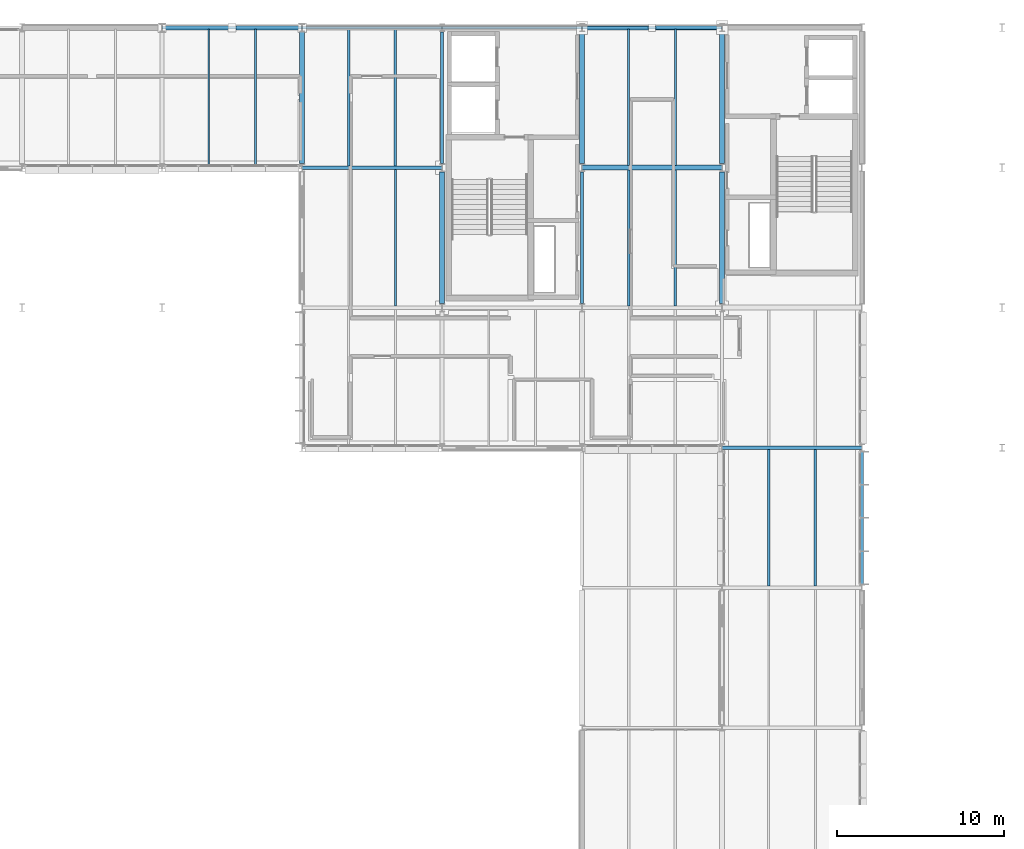
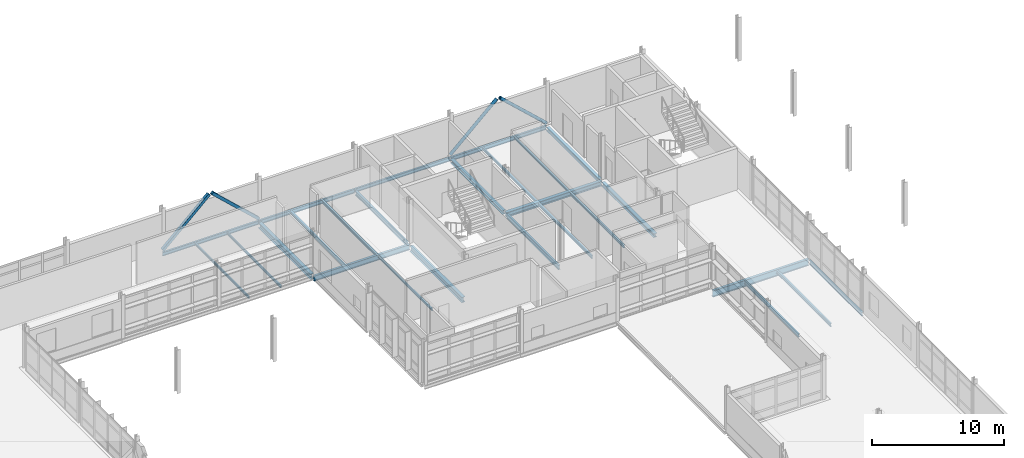
# One storey, part 71 of 103: 26 beams, 4 members.
"""IFC4 building model written with IfcOpenShell, lengths in metres."""

from ifc_helpers import new_model, si_unit, direction, frame, origin, origin_2d, place, context, subcontext, project, spatial, hollow_rectangle, hollow_circle, i_section, extrude, material, material_profile, profile_set, type_object, element, save


model = new_model("IFC4")

# Units and contexts
model_context = context("Model", 3, precision=1e-05, world=origin(), true_north=direction((0.0, 1.0)))
body_context = subcontext(model_context, "Body", "Model", "MODEL_VIEW")
ifc_project = project(units=[si_unit("LENGTHUNIT", "METRE"), si_unit("AREAUNIT", "SQUARE_METRE"), si_unit("VOLUMEUNIT", "CUBIC_METRE"), si_unit("PLANEANGLEUNIT", "RADIAN"), si_unit("MASSUNIT", "GRAM", prefix="KILO")], contexts=[model_context])

# Site, building, storey
site_placement = place(None, origin())
site = spatial("IfcSite", under=ifc_project, at=site_placement, CompositionType="ELEMENT")
building_placement = place(site_placement, origin())
building = spatial("IfcBuilding", under=site, at=building_placement, Name="Mersafa Astral City Hall", CompositionType="ELEMENT")
storey_placement = place(building_placement, frame((0.0, 0.0, 18.0)))
storey = spatial("IfcBuildingStorey", under=building, at=storey_placement, Name="L04", CompositionType="ELEMENT", Elevation=18.0)

# Beams
ifc_material = material(Name="Steel S355", Category="steel")
ifc_material_profile_1 = material_profile(ifc_material, i_section(OverallWidth=0.300048828125, OverallDepth=0.31005859375, WebThickness=0.009033203125, FlangeThickness=0.015380859375, FilletRadius=0.027099609375, at=origin_2d()), Name="HEA 320")
ifc_profile_set_1 = profile_set([ifc_material_profile_1], Name="Steel S355")
beam_type_1 = type_object("IfcBeamType", Name="STR-BM-HEA320", PredefinedType="BEAM", material=ifc_profile_set_1)
beam_1_placement = place(storey_placement, frame((168.0, 117.844970703125, -0.340087890625), z_axis=(0.0, 1.0, 0.0), x_axis=(-1.0, 0.0, 0.0)))
element("IfcBeam", 1, at=beam_1_placement, inside=storey, type_object=beam_type_1, Name="L04 Primary girder Y 20-14", PredefinedType="BEAM", context=body_context, shape_type="SweptSolid", body=[
    extrude(i_section(OverallWidth=0.300048828125, OverallDepth=0.31005859375, WebThickness=0.009033203125, FlangeThickness=0.015380859375, FilletRadius=0.027099609375, at=origin_2d()), origin(), (0.0, 0.0, 1.0), 7.909912109375),
])
ifc_material_profile_2 = material_profile(ifc_material, i_section(OverallWidth=0.300048828125, OverallDepth=0.35009765625, WebThickness=0.010009765625, FlangeThickness=0.017578125, FilletRadius=0.027099609375, at=origin_2d()), Name="HEA 360")
ifc_profile_set_2 = profile_set([ifc_material_profile_2], Name="Steel S355")
beam_type_2 = type_object("IfcBeamType", Name="STR-BM-HEA360", PredefinedType="BEAM", material=ifc_profile_set_2)
for number, where, z_axis, x_axis, name in (
    (2, (159.60009765625, 117.844970703125, -0.360107421875), (0.0, 1.0, 0.0), (-1.0, 0.0, 0.0), "L04 Primary girder Y 19-14"),
    (3, (168.0, 109.445068359375, -0.360107421875), (0.0, 1.0, 0.0), (-1.0, 0.0, 0.0), "L04 Primary girder Y 20-13"),
):
    element("IfcBeam", number, at=place(storey_placement, frame(where, z_axis=z_axis, x_axis=x_axis)), inside=storey, type_object=beam_type_2, Name=name, PredefinedType="BEAM", context=body_context, shape_type="SweptSolid", body=[
        extrude(i_section(OverallWidth=0.300048828125, OverallDepth=0.35009765625, WebThickness=0.010009765625, FlangeThickness=0.017578125, FilletRadius=0.027099609375, at=origin_2d()), origin(), (0.0, 0.0, 1.0), 7.909912109375),
    ])
ifc_material_profile_3 = material_profile(ifc_material, i_section(OverallWidth=0.300048828125, OverallDepth=0.43994140625, WebThickness=0.011474609375, FlangeThickness=0.02099609375, FilletRadius=0.027099609375, at=origin_2d()), Name="HEA 450")
ifc_profile_set_3 = profile_set([ifc_material_profile_3], Name="Steel S355")
beam_type_3 = type_object("IfcBeamType", Name="STR-BM-HEA450", PredefinedType="BEAM", material=ifc_profile_set_3)
beam_2_placement = place(storey_placement, frame((159.60302734375, 117.60009765625, -0.405029296875), z_axis=(1.0, 0.0, 0.0), x_axis=(0.0, 1.0, 0.0)))
element("IfcBeam", 4, at=beam_2_placement, inside=storey, type_object=beam_type_3, Name="L04 Primary girder X 19-14", PredefinedType="BEAM", context=body_context, shape_type="SweptSolid", body=[
    extrude(i_section(OverallWidth=0.300048828125, OverallDepth=0.43994140625, WebThickness=0.011474609375, FlangeThickness=0.02099609375, FilletRadius=0.027099609375, at=origin_2d()), origin(), (0.0, 0.0, 1.0), 8.39404296875),
])
ifc_material_profile_4 = material_profile(ifc_material, i_section(OverallWidth=0.300048828125, OverallDepth=0.489990234375, WebThickness=0.011962890625, FlangeThickness=0.02294921875, FilletRadius=0.027099609375, at=origin_2d()), Name="HEA 500")
ifc_profile_set_4 = profile_set([ifc_material_profile_4], Name="Steel S355")
beam_type_4 = type_object("IfcBeamType", Name="STR-BM-HEA500", PredefinedType="BEAM", material=ifc_profile_set_4)
for number, where, z_axis, x_axis, name in (
    (5, (142.800048828125, 117.844970703125, -0.429931640625), (0.0, 1.0, 0.0), (-1.0, 0.0, 0.0), "L04 Primary girder Y 17-14"),
    (6, (151.199951171875, 109.445068359375, -0.429931640625), (0.0, 1.0, 0.0), (-1.0, 0.0, 0.0), "L04 Primary girder Y 18-13"),
):
    element("IfcBeam", number, at=place(storey_placement, frame(where, z_axis=z_axis, x_axis=x_axis)), inside=storey, type_object=beam_type_4, Name=name, PredefinedType="BEAM", context=body_context, shape_type="SweptSolid", body=[
        extrude(i_section(OverallWidth=0.300048828125, OverallDepth=0.489990234375, WebThickness=0.011962890625, FlangeThickness=0.02294921875, FilletRadius=0.027099609375, at=origin_2d()), origin(), (0.0, 0.0, 1.0), 7.909912109375),
    ])
ifc_material_profile_5 = material_profile(ifc_material, i_section(OverallWidth=0.179931640625, OverallDepth=0.39990234375, WebThickness=0.008544921875, FlangeThickness=0.013427734375, FilletRadius=0.02099609375, at=origin_2d()), Name="IPE 400")
ifc_profile_set_5 = profile_set([ifc_material_profile_5], Name="Steel S355")
beam_type_5 = type_object("IfcBeamType", Name="STR-BM-IPE400", PredefinedType="BEAM", material=ifc_profile_set_5)
for number, where, z_axis, x_axis, name in (
    (7, (151.199951171875, 117.844970703125, -0.385009765625), (0.0, 1.0, 0.0), (-1.0, 0.0, 0.0), "L04 Primary girder Y 18-14"),
    (8, (159.60009765625, 109.445068359375, -0.385009765625), (0.0, 1.0, 0.0), (-1.0, 0.0, 0.0), "L04 Primary girder Y 19-13"),
):
    element("IfcBeam", number, at=place(storey_placement, frame(where, z_axis=z_axis, x_axis=x_axis)), inside=storey, type_object=beam_type_5, Name=name, PredefinedType="BEAM", context=body_context, shape_type="SweptSolid", body=[
        extrude(i_section(OverallWidth=0.179931640625, OverallDepth=0.39990234375, WebThickness=0.008544921875, FlangeThickness=0.013427734375, FilletRadius=0.02099609375, at=origin_2d()), origin(), (0.0, 0.0, 1.0), 7.909912109375),
    ])
ifc_material_profile_6 = material_profile(ifc_material, i_section(OverallWidth=0.199951171875, OverallDepth=0.5, WebThickness=0.01025390625, FlangeThickness=0.01611328125, FilletRadius=0.02099609375, at=origin_2d()), Name="IPE 500")
ifc_profile_set_6 = profile_set([ifc_material_profile_6], Name="Steel S355")
beam_type_6 = type_object("IfcBeamType", Name="STR-BM-IPE500", PredefinedType="BEAM", material=ifc_profile_set_6)
beam_3_placement = place(storey_placement, frame((142.802978515625, 117.60009765625, -0.43505859375), z_axis=(1.0, 0.0, 0.0), x_axis=(0.0, 1.0, 0.0)))
element("IfcBeam", 9, at=beam_3_placement, inside=storey, type_object=beam_type_6, Name="L04 Primary girder X 17-14", PredefinedType="BEAM", context=body_context, shape_type="SweptSolid", body=[
    extrude(i_section(OverallWidth=0.199951171875, OverallDepth=0.5, WebThickness=0.01025390625, FlangeThickness=0.01611328125, FilletRadius=0.02099609375, at=origin_2d()), origin(), (0.0, 0.0, 1.0), 8.39404296875),
])
ifc_material_profile_7 = material_profile(ifc_material, i_section(OverallWidth=0.219970703125, OverallDepth=0.60009765625, WebThickness=0.011962890625, FlangeThickness=0.01904296875, FilletRadius=0.02392578125, at=origin_2d()), Name="IPE 600")
ifc_profile_set_7 = profile_set([ifc_material_profile_7], Name="Steel S355")
beam_type_7 = type_object("IfcBeamType", Name="STR-BM-IPE600", PredefinedType="BEAM", material=ifc_profile_set_7)
beam_4_placement = place(storey_placement, frame((168.0029296875, 100.800048828125, -0.485107421875), z_axis=(1.0, 0.0, 0.0), x_axis=(0.0, 1.0, 0.0)))
element("IfcBeam", 10, at=beam_4_placement, inside=storey, type_object=beam_type_7, Name="L04 Primary girder X 20-12", PredefinedType="BEAM", context=body_context, shape_type="SweptSolid", body=[
    extrude(i_section(OverallWidth=0.219970703125, OverallDepth=0.60009765625, WebThickness=0.011962890625, FlangeThickness=0.01904296875, FilletRadius=0.02392578125, at=origin_2d()), origin(), (0.0, 0.0, 1.0), 8.39404296875),
])
ifc_material_profile_8 = material_profile(ifc_material, i_section(OverallWidth=0.110107421875, OverallDepth=0.219970703125, WebThickness=0.005859375, FlangeThickness=0.00927734375, FilletRadius=0.011962890625, at=origin_2d()), Name="IPE 220")
ifc_profile_set_8 = profile_set([ifc_material_profile_8], Name="Steel S355")
beam_type_8 = type_object("IfcBeamType", Name="STR-BM-JOIST-IPE220", PredefinedType="JOIST", material=ifc_profile_set_8)
for number, where, z_axis, x_axis, name in (
    (11, (137.199951171875, 117.679931640625, -0.294921875), (0.0, 1.0, 0.0), (-1.0, 0.0, 0.0), "L04 Composite secondary floor joist 750"),
    (12, (140.0, 117.679931640625, -0.294921875), (0.0, 1.0, 0.0), (-1.0, 0.0, 0.0), "L04 Composite secondary floor joist 751"),
):
    element("IfcBeam", number, at=place(storey_placement, frame(where, z_axis=z_axis, x_axis=x_axis)), inside=storey, type_object=beam_type_8, Name=name, PredefinedType="JOIST", context=body_context, shape_type="SweptSolid", body=[
        extrude(i_section(OverallWidth=0.110107421875, OverallDepth=0.219970703125, WebThickness=0.005859375, FlangeThickness=0.00927734375, FilletRadius=0.011962890625, at=origin_2d()), origin(), (0.0, 0.0, 1.0), 8.2451171875),
    ])
beam_5_placement = place(storey_placement, frame((148.39990234375, 109.300048828125, -0.294921875), z_axis=(0.0, 1.0, 0.0), x_axis=(-1.0, 0.0, 0.0)))
element("IfcBeam", 13, at=beam_5_placement, inside=storey, type_object=beam_type_8, Name="L04 Composite secondary floor joist 755", PredefinedType="JOIST", context=body_context, shape_type="SweptSolid", body=[
    extrude(i_section(OverallWidth=0.110107421875, OverallDepth=0.219970703125, WebThickness=0.005859375, FlangeThickness=0.00927734375, FilletRadius=0.011962890625, at=origin_2d()), origin(), (0.0, 0.0, 1.0), 8.204833984375),
])
ifc_material_profile_9 = material_profile(ifc_material, i_section(OverallWidth=0.1201171875, OverallDepth=0.239990234375, WebThickness=0.006103515625, FlangeThickness=0.009765625, FilletRadius=0.014892578125, at=origin_2d()), Name="IPE 240")
ifc_profile_set_9 = profile_set([ifc_material_profile_9], Name="Steel S355")
beam_type_9 = type_object("IfcBeamType", Name="STR-BM-JOIST-IPE240", PredefinedType="JOIST", material=ifc_profile_set_9)
for number, where, z_axis, x_axis, name in (
    (14, (162.39990234375, 117.7451171875, -0.304931640625), (0.0, 1.0, 0.0), (-1.0, 0.0, 0.0), "L04 Composite secondary floor joist 772"),
    (15, (165.199951171875, 117.7451171875, -0.304931640625), (0.0, 1.0, 0.0), (-1.0, 0.0, 0.0), "L04 Composite secondary floor joist 773"),
):
    element("IfcBeam", number, at=place(storey_placement, frame(where, z_axis=z_axis, x_axis=x_axis)), inside=storey, type_object=beam_type_9, Name=name, PredefinedType="JOIST", context=body_context, shape_type="SweptSolid", body=[
        extrude(i_section(OverallWidth=0.1201171875, OverallDepth=0.239990234375, WebThickness=0.006103515625, FlangeThickness=0.009765625, FilletRadius=0.014892578125, at=origin_2d()), origin(), (0.0, 0.0, 1.0), 8.1748046875),
    ])
ifc_material_profile_10 = material_profile(ifc_material, i_section(OverallWidth=0.135009765625, OverallDepth=0.27001953125, WebThickness=0.006591796875, FlangeThickness=0.01025390625, FilletRadius=0.014892578125, at=origin_2d()), Name="IPE 270")
ifc_profile_set_10 = profile_set([ifc_material_profile_10], Name="Steel S355")
beam_type_10 = type_object("IfcBeamType", Name="STR-BM-JOIST-IPE270", PredefinedType="JOIST", material=ifc_profile_set_10)
for number, where, z_axis, x_axis, name in (
    (16, (162.39990234375, 109.304931640625, -0.320068359375), (0.0, 1.0, 0.0), (-1.0, 0.0, 0.0), "L04 Composite secondary floor joist 770"),
    (17, (165.199951171875, 109.304931640625, -0.320068359375), (0.0, 1.0, 0.0), (-1.0, 0.0, 0.0), "L04 Composite secondary floor joist 771"),
):
    element("IfcBeam", number, at=place(storey_placement, frame(where, z_axis=z_axis, x_axis=x_axis)), inside=storey, type_object=beam_type_10, Name=name, PredefinedType="JOIST", context=body_context, shape_type="SweptSolid", body=[
        extrude(i_section(OverallWidth=0.135009765625, OverallDepth=0.27001953125, WebThickness=0.006591796875, FlangeThickness=0.01025390625, FilletRadius=0.014892578125, at=origin_2d()), origin(), (0.0, 0.0, 1.0), 8.150146484375),
    ])
ifc_material_profile_11 = material_profile(ifc_material, i_section(OverallWidth=0.14990234375, OverallDepth=0.300048828125, WebThickness=0.007080078125, FlangeThickness=0.0107421875, FilletRadius=0.014892578125, at=origin_2d()), Name="IPE 300")
ifc_profile_set_11 = profile_set([ifc_material_profile_11], Name="Steel S355")
beam_type_11 = type_object("IfcBeamType", Name="STR-BM-JOIST-IPE300", PredefinedType="JOIST", material=ifc_profile_set_11)
for number, where, z_axis, x_axis, name in (
    (18, (145.60009765625, 117.695068359375, -0.3349609375), (0.0, 1.0, 0.0), (-1.0, 0.0, 0.0), "L04 Composite secondary floor joist 756"),
    (19, (148.39990234375, 117.695068359375, -0.3349609375), (0.0, 1.0, 0.0), (-1.0, 0.0, 0.0), "L04 Composite secondary floor joist 757"),
):
    element("IfcBeam", number, at=place(storey_placement, frame(where, z_axis=z_axis, x_axis=x_axis)), inside=storey, type_object=beam_type_11, Name=name, PredefinedType="JOIST", context=body_context, shape_type="SweptSolid", body=[
        extrude(i_section(OverallWidth=0.14990234375, OverallDepth=0.300048828125, WebThickness=0.007080078125, FlangeThickness=0.0107421875, FilletRadius=0.014892578125, at=origin_2d()), origin(), (0.0, 0.0, 1.0), 8.224853515625),
    ])
for number, where, z_axis, x_axis, name in (
    (20, (170.800048828125, 92.4951171875, -0.3349609375), (0.0, 1.0, 0.0), (-1.0, 0.0, 0.0), "L04 Composite secondary floor joist 781"),
    (21, (173.60009765625, 92.4951171875, -0.3349609375), (0.0, 1.0, 0.0), (-1.0, 0.0, 0.0), "L04 Composite secondary floor joist 782"),
):
    element("IfcBeam", number, at=place(storey_placement, frame(where, z_axis=z_axis, x_axis=x_axis)), inside=storey, type_object=beam_type_11, Name=name, PredefinedType="JOIST", context=body_context, shape_type="SweptSolid", body=[
        extrude(i_section(OverallWidth=0.14990234375, OverallDepth=0.300048828125, WebThickness=0.007080078125, FlangeThickness=0.0107421875, FilletRadius=0.014892578125, at=origin_2d()), origin(), (0.0, 0.0, 1.0), 8.199951171875),
    ])
ifc_material_profile_12 = material_profile(ifc_material, i_section(OverallWidth=0.159912109375, OverallDepth=0.330078125, WebThickness=0.007568359375, FlangeThickness=0.011474609375, FilletRadius=0.01806640625, at=origin_2d()), Name="IPE 330")
ifc_profile_set_12 = profile_set([ifc_material_profile_12], Name="Steel S355")
beam_type_12 = type_object("IfcBeamType", Name="STR-BM-SPANDREL-IPE330", PredefinedType="SPANDREL", material=ifc_profile_set_12)
for number, where, z_axis, x_axis, name in (
    (22, (134.403076171875, 126.0, -0.35009765625), (1.0, 0.0, 0.0), (0.0, 1.0, 0.0), "L04 Primary girder X 16-15"),
    (23, (151.202880859375, 126.0, -0.35009765625), (1.0, 0.0, 0.0), (0.0, 1.0, 0.0), "L04 Primary girder X 18-15"),
):
    element("IfcBeam", number, at=place(storey_placement, frame(where, z_axis=z_axis, x_axis=x_axis)), inside=storey, type_object=beam_type_12, Name=name, PredefinedType="SPANDREL", context=body_context, shape_type="SweptSolid", body=[
        extrude(i_section(OverallWidth=0.159912109375, OverallDepth=0.330078125, WebThickness=0.007568359375, FlangeThickness=0.011474609375, FilletRadius=0.01806640625, at=origin_2d()), origin(), (0.0, 0.0, 1.0), 8.39404296875),
    ])
ifc_material_profile_13 = material_profile(ifc_material, i_section(OverallWidth=0.169921875, OverallDepth=0.360107421875, WebThickness=0.008056640625, FlangeThickness=0.0126953125, FilletRadius=0.01806640625, at=origin_2d()), Name="IPE 360")
ifc_profile_set_13 = profile_set([ifc_material_profile_13], Name="Steel S355")
beam_type_13 = type_object("IfcBeamType", Name="STR-BM-SPANDREL-IPE360", PredefinedType="SPANDREL", material=ifc_profile_set_13)
for number, where, z_axis, x_axis, name in (
    (24, (142.802978515625, 126.0, -0.364990234375), (1.0, 0.0, 0.0), (0.0, 1.0, 0.0), "L04 Primary girder X 17-15"),
    (25, (159.60302734375, 126.0, -0.364990234375), (1.0, 0.0, 0.0), (0.0, 1.0, 0.0), "L04 Primary girder X 19-15"),
):
    element("IfcBeam", number, at=place(storey_placement, frame(where, z_axis=z_axis, x_axis=x_axis)), inside=storey, type_object=beam_type_13, Name=name, PredefinedType="SPANDREL", context=body_context, shape_type="SweptSolid", body=[
        extrude(i_section(OverallWidth=0.169921875, OverallDepth=0.360107421875, WebThickness=0.008056640625, FlangeThickness=0.0126953125, FilletRadius=0.01806640625, at=origin_2d()), origin(), (0.0, 0.0, 1.0), 8.39404296875),
    ])
beam_6_placement = place(storey_placement, frame((176.39990234375, 92.594970703125, -0.364990234375), z_axis=(0.0, 1.0, 0.0), x_axis=(-1.0, 0.0, 0.0)))
element("IfcBeam", 26, at=beam_6_placement, inside=storey, type_object=beam_type_13, Name="L04 Primary girder Y 21-11", PredefinedType="SPANDREL", context=body_context, shape_type="SweptSolid", body=[
    extrude(i_section(OverallWidth=0.169921875, OverallDepth=0.360107421875, WebThickness=0.008056640625, FlangeThickness=0.0126953125, FilletRadius=0.01806640625, at=origin_2d()), origin(), (0.0, 0.0, 1.0), 7.985107421875),
])

# Members
ifc_material_profile_14 = material_profile(ifc_material, hollow_circle(Radius=0.136474609375, WallThickness=0.012451171875, at=origin_2d()), Name="CHS 273x12.5")
ifc_profile_set_14 = profile_set([ifc_material_profile_14], Name="Steel S355")
member_type_1 = type_object("IfcMemberType", Name="STR-MBR-BRACE-CHS273", PredefinedType="BRACE", material=ifc_profile_set_14)
for number, where, z_axis, x_axis, name in (
    (27, (159.597900390625, 126.0, 0.02001953125), (0.734762808877, 0.0, 0.678324122151), (0.0, 1.0, 0.0), "L04 Chevron lateral brace 27A"),
    (28, (168.001953125, 126.0, 0.02001953125), (-0.734762808877, 0.0, 0.678324122151), (0.0, -1.0, 0.0), "L04 Chevron lateral brace 27B"),
):
    element("IfcMember", number, at=place(storey_placement, frame(where, z_axis=z_axis, x_axis=x_axis)), inside=storey, type_object=member_type_1, Name=name, PredefinedType="BRACE", context=body_context, shape_type="SweptSolid", body=[
        extrude(hollow_circle(Radius=0.136474609375, WallThickness=0.012451171875, at=origin_2d()), origin(), (0.0, 0.0, 1.0), 5.5283203125),
    ])
ifc_material_profile_15 = material_profile(ifc_material, hollow_rectangle(XDim=0.25, YDim=0.25, WallThickness=0.012451171875, at=origin_2d()), Name="RHS 250x250x12.5")
ifc_profile_set_15 = profile_set([ifc_material_profile_15], Name="Steel S355")
member_type_2 = type_object("IfcMemberType", Name="STR-MBR-STRUT-RHS250", PredefinedType="BRACE", material=ifc_profile_set_15)
for number, where, z_axis, x_axis, name in (
    (29, (134.39794921875, 126.0, 0.02001953125), (0.732059664647, 0.0, 0.68124052096), (0.0, 1.0, 0.0), "L04 Chevron lateral brace 18A"),
    (30, (142.802001953125, 126.0, 0.02001953125), (-0.732059664647, 0.0, 0.68124052096), (0.0, -1.0, 0.0), "L04 Chevron lateral brace 18B"),
):
    element("IfcMember", number, at=place(storey_placement, frame(where, z_axis=z_axis, x_axis=x_axis)), inside=storey, type_object=member_type_2, Name=name, PredefinedType="BRACE", context=body_context, shape_type="SweptSolid", body=[
        extrude(hollow_rectangle(XDim=0.25, YDim=0.25, WallThickness=0.012451171875, at=origin_2d()), origin(), (0.0, 0.0, 1.0), 5.548828125),
    ])

save(model, "model.ifc")
